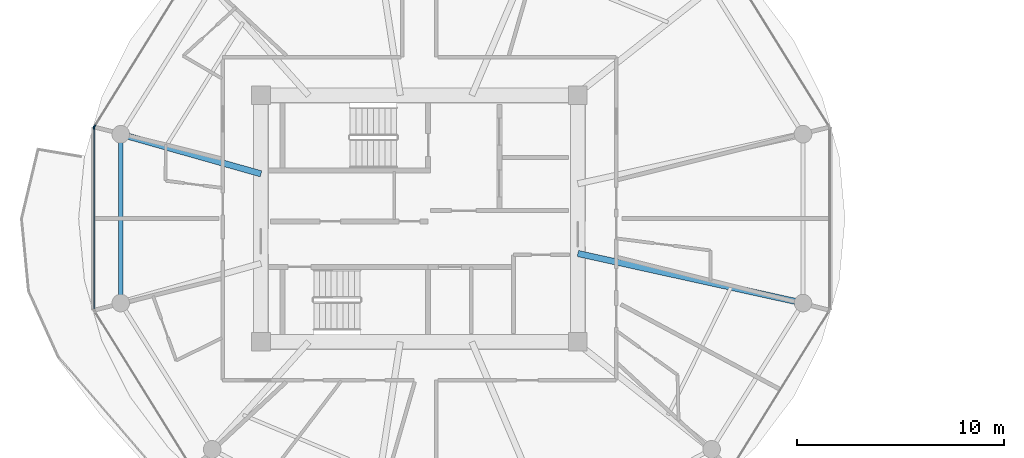
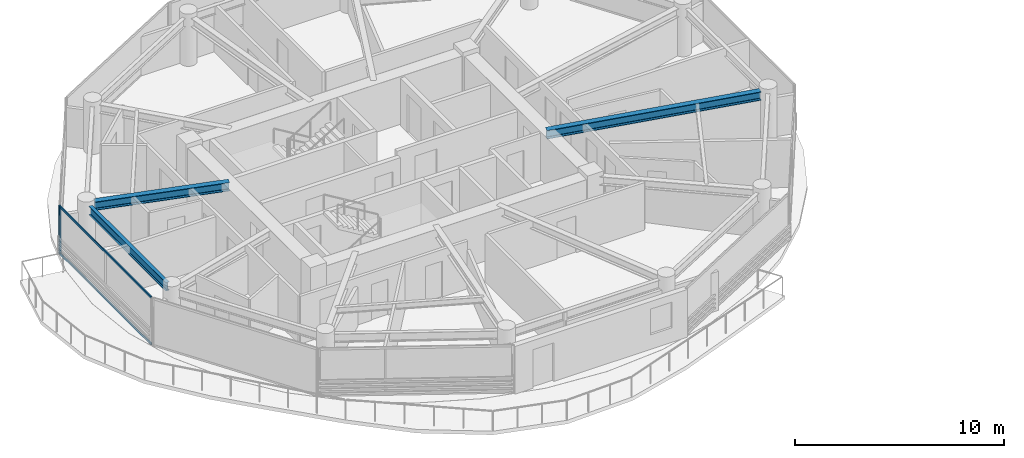
# One storey, part 3 of 24: 4 members, 3 beams, 2 elements without a shape of their own.
"""IFC4 building model written with IfcOpenShell, lengths in metres."""

from ifc_helpers import new_model, si_unit, direction, frame, origin, origin_2d, place, context, subcontext, project, spatial, rectangle, i_section, extrude, source, transform, mapped, material, layer, layer_set, material_profile, profile_set, type_object, type_shapes, element, aggregate, save


model = new_model("IFC4")

# Units and contexts
model_context = context("Model", 3, precision=1e-05, world=origin(), true_north=direction((0.0, 1.0)))
body_context = subcontext(model_context, "Body", "Model", "MODEL_VIEW")
ifc_project = project(units=[si_unit("LENGTHUNIT", "METRE"), si_unit("AREAUNIT", "SQUARE_METRE"), si_unit("VOLUMEUNIT", "CUBIC_METRE"), si_unit("PLANEANGLEUNIT", "RADIAN"), si_unit("MASSUNIT", "GRAM", prefix="KILO")], contexts=[model_context])

# Site, building, storey
site_placement = place(None, origin())
site = spatial("IfcSite", under=ifc_project, at=site_placement, CompositionType="ELEMENT")
building_placement = place(site_placement, origin())
building = spatial("IfcBuilding", under=site, at=building_placement, Name="Norrkilde Senior Care Towers", CompositionType="ELEMENT")
storey_placement = place(building_placement, frame((0.0, 0.0, 102.35009765625)))
storey = spatial("IfcBuildingStorey", under=building, at=storey_placement, Name="L31", CompositionType="ELEMENT", Elevation=102.35009765625)

# Beams
ifc_material_1 = material(Name="Steel S355", Category="steel")
ifc_material_profile_1 = material_profile(ifc_material_1, i_section(OverallWidth=0.300048828125, OverallDepth=0.5, WebThickness=0.014404296875, FlangeThickness=0.028076171875, FilletRadius=0.027099609375, at=origin_2d()), Name="HEB 500")
ifc_profile_set_1 = profile_set([ifc_material_profile_1], Name="Steel S355")
beam_type_1 = type_object("IfcBeamType", Name="Radial Floor Beam Z2 HEB500", PredefinedType="BEAM", material=ifc_profile_set_1)
shared_shape_1 = source(origin(), body_context, "Body", "SweptSolid", [
    extrude(i_section(OverallWidth=0.300048828125, OverallDepth=0.5, WebThickness=0.014404296875, FlangeThickness=0.028076171875, FilletRadius=0.027099609375, at=origin_2d()), origin(), (0.0, 0.0, 1.0), 10.744384765625),
])
beam_1_placement = place(storey_placement, frame((-20.35009765625, -1.683837890625, 2.539794921875), z_axis=(0.976618711422, -0.214978818724, 0.0), x_axis=(0.214978818724, 0.976618711422, 0.0)))
element("IfcBeam", 1, at=beam_1_placement, inside=storey, type_object=beam_type_1, Name="L31 Drum W Radial Floor Beam 12", PredefinedType="BEAM", context=body_context, shape_type="MappedRepresentation", body=[
    mapped(shared_shape_1, transform((0.0, 0.0, 0.0), x_axis=(1.0, 0.0, 0.0), y_axis=(0.0, 1.0, 0.0), z_axis=(0.0, 0.0, 1.0), scale=1.0)),
])
ifc_material_profile_2 = material_profile(ifc_material_1, i_section(OverallWidth=0.199951171875, OverallDepth=0.5, WebThickness=0.01025390625, FlangeThickness=0.01611328125, FilletRadius=0.02099609375, at=origin_2d()), Name="IPE 500")
ifc_profile_set_2 = profile_set([ifc_material_profile_2], Name="Steel S355")
beam_type_2 = type_object("IfcBeamType", Name="Perimeter Ring Spandrel Z2 IPE500", PredefinedType="SPANDREL", material=ifc_profile_set_2)
shared_shape_2 = source(origin(), body_context, "Body", "SweptSolid", [
    extrude(i_section(OverallWidth=0.199951171875, OverallDepth=0.5, WebThickness=0.01025390625, FlangeThickness=0.01611328125, FilletRadius=0.02099609375, at=origin_2d()), origin(), (0.0, 0.0, 1.0), 7.3828125),
])
type_shapes(beam_type_2, [shared_shape_2])
beam_2_placement = place(storey_placement, frame((-42.4189453125, 3.69140625, 2.539794921875), z_axis=(0.0, -1.0, 0.0), x_axis=(1.0, 0.0, 0.0)))
element("IfcBeam", 2, at=beam_2_placement, inside=storey, type_object=beam_type_2, Name="L31 Drum W Perimeter Spandrel 06", PredefinedType="SPANDREL", context=body_context, shape_type="MappedRepresentation", body=[
    mapped(shared_shape_2, transform((0.0, 0.0, 0.0), x_axis=(1.0, 0.0, 0.0), y_axis=(0.0, 1.0, 0.0), z_axis=(0.0, 0.0, 1.0), scale=1.0)),
])
shared_shape_3 = source(origin(), body_context, "Body", "SweptSolid", [
    extrude(i_section(OverallWidth=0.300048828125, OverallDepth=0.5, WebThickness=0.014404296875, FlangeThickness=0.028076171875, FilletRadius=0.027099609375, at=origin_2d()), origin(), (0.0, 0.0, 1.0), 6.6494140625),
])
type_shapes(beam_type_1, [shared_shape_1, shared_shape_3])
beam_3_placement = place(storey_placement, frame((-35.64990234375, 2.162841796875, 2.539794921875), z_axis=(-0.962289138357, 0.27202870106, 0.0), x_axis=(-0.27202870106, -0.962289138357, 0.0)))
element("IfcBeam", 3, at=beam_3_placement, inside=storey, type_object=beam_type_1, Name="L31 Drum W Radial Floor Beam 06", PredefinedType="BEAM", context=body_context, shape_type="MappedRepresentation", body=[
    mapped(shared_shape_3, transform((0.0, 0.0, 0.0), x_axis=(1.0, 0.0, 0.0), y_axis=(0.0, 1.0, 0.0), z_axis=(0.0, 0.0, 1.0), scale=1.0)),
])

# Curtain wall, member
ifc_material_2 = material(Name="Triple Low-E Insulated Glazing", Category="glass")
ifc_layer = layer(ifc_material_2, 0.195068359375)
ifc_layer_set = layer_set([ifc_layer], Name="Triple Low-E Insulated Glazing")
curtain_wall_type = type_object("IfcCurtainWallType", Name="CW3 Zone 2 Assisted Living Curtain Wall", PredefinedType="NOTDEFINED", material=ifc_layer_set)
curtain_wall_1_placement = place(storey_placement, origin())
curtain_wall_1 = element("IfcCurtainWall", 4, at=curtain_wall_1_placement, inside=storey, type_object=curtain_wall_type, Name="L31 Drum W Curtain Wall 04", PredefinedType="NOTDEFINED")
ifc_material_3 = material(Name="Anodised Aluminium", Category="aluminium")
ifc_material_profile_3 = material_profile(ifc_material_3, rectangle(XDim=0.06494140625, YDim=0.159912109375, at=origin_2d()), Name="ALU MULL 65x160")
ifc_profile_set_3 = profile_set([ifc_material_profile_3], Name="Anodised Aluminium")
member_type_1 = type_object("IfcMemberType", Name="Curtain Wall Mullion Z1-Z2 65x160", PredefinedType="MULLION", material=ifc_profile_set_3)
shared_shape_4 = source(origin(), body_context, "Body", "SweptSolid", [
    extrude(rectangle(XDim=0.06494140625, YDim=0.159912109375, at=origin_2d()), origin(), (0.0, 0.0, 1.0), 2.789794921875),
])
type_shapes(member_type_1, [shared_shape_4])
member_1_placement = place(storey_placement, frame((-43.6865234375, 4.4482421875, 0.0), z_axis=(0.0, 0.0, 1.0), x_axis=(-0.849410171862, 0.527733228002, 0.0)))
member_1 = element("IfcMember", 5, at=member_1_placement, type_object=member_type_1, Name="CW-3 mullion 1", PredefinedType="MULLION", context=body_context, shape_type="MappedRepresentation", body=[
    mapped(shared_shape_4, transform((0.0, 0.0, 0.0), x_axis=(1.0, 0.0, 0.0), y_axis=(0.0, 1.0, 0.0), z_axis=(0.0, 0.0, 1.0), scale=1.0)),
])
aggregate(curtain_wall_1, [member_1])

# Curtain wall, members
curtain_wall_2_placement = place(storey_placement, origin())
curtain_wall_2 = element("IfcCurtainWall", 6, at=curtain_wall_2_placement, inside=storey, type_object=curtain_wall_type, Name="L31 Drum W Curtain Wall 05", PredefinedType="NOTDEFINED")
member_2_placement = place(storey_placement, frame((-43.70361328125, 4.38818359375, 0.0), z_axis=(0.0, 0.0, 1.0), x_axis=(-1.0, 0.0, 0.0)))
member_2 = element("IfcMember", 7, at=member_2_placement, type_object=member_type_1, Name="CW-3 mullion 2", PredefinedType="MULLION", context=body_context, shape_type="MappedRepresentation", body=[
    mapped(shared_shape_4, transform((0.0, 0.0, 0.0), x_axis=(1.0, 0.0, 0.0), y_axis=(0.0, 1.0, 0.0), z_axis=(0.0, 0.0, 1.0), scale=1.0)),
])
ifc_material_profile_4 = material_profile(ifc_material_3, rectangle(XDim=0.06005859375, YDim=0.1201171875, at=origin_2d()), Name="ALU TRAN 60x120")
ifc_profile_set_4 = profile_set([ifc_material_profile_4], Name="Anodised Aluminium")
member_type_2 = type_object("IfcMemberType", Name="Curtain Wall Transom Typical 60x120", PredefinedType="USERDEFINED", material=ifc_profile_set_4)
shared_shape_5 = source(origin(), body_context, "Body", "SweptSolid", [
    extrude(rectangle(XDim=0.06005859375, YDim=0.1201171875, at=origin_2d()), origin(), (0.0, 0.0, 1.0), 8.71142578125),
])
type_shapes(member_type_2, [shared_shape_5])
member_3_placement = place(storey_placement, frame((-43.70361328125, -4.355712890625, 0.02978515625), z_axis=(0.0, 1.0, 0.0), x_axis=(-1.0, 0.0, 0.0)))
member_3 = element("IfcMember", 8, at=member_3_placement, type_object=member_type_2, Name="CW-3 transom 1.1", ObjectType="TRANSOM", PredefinedType="USERDEFINED", context=body_context, shape_type="MappedRepresentation", body=[
    mapped(shared_shape_5, transform((0.0, 0.0, 0.0), x_axis=(1.0, 0.0, 0.0), y_axis=(0.0, 1.0, 0.0), z_axis=(0.0, 0.0, 1.0), scale=1.0)),
])
member_4_placement = place(storey_placement, frame((-43.70361328125, -4.355712890625, 2.760009765625), z_axis=(0.0, 1.0, 0.0), x_axis=(-1.0, 0.0, 0.0)))
member_4 = element("IfcMember", 9, at=member_4_placement, type_object=member_type_2, Name="CW-3 transom 1.2", ObjectType="TRANSOM", PredefinedType="USERDEFINED", context=body_context, shape_type="MappedRepresentation", body=[
    mapped(shared_shape_5, transform((0.0, 0.0, 0.0), x_axis=(1.0, 0.0, 0.0), y_axis=(0.0, 1.0, 0.0), z_axis=(0.0, 0.0, 1.0), scale=1.0)),
])
aggregate(curtain_wall_2, [member_2, member_3, member_4])

save(model, "model.ifc")
